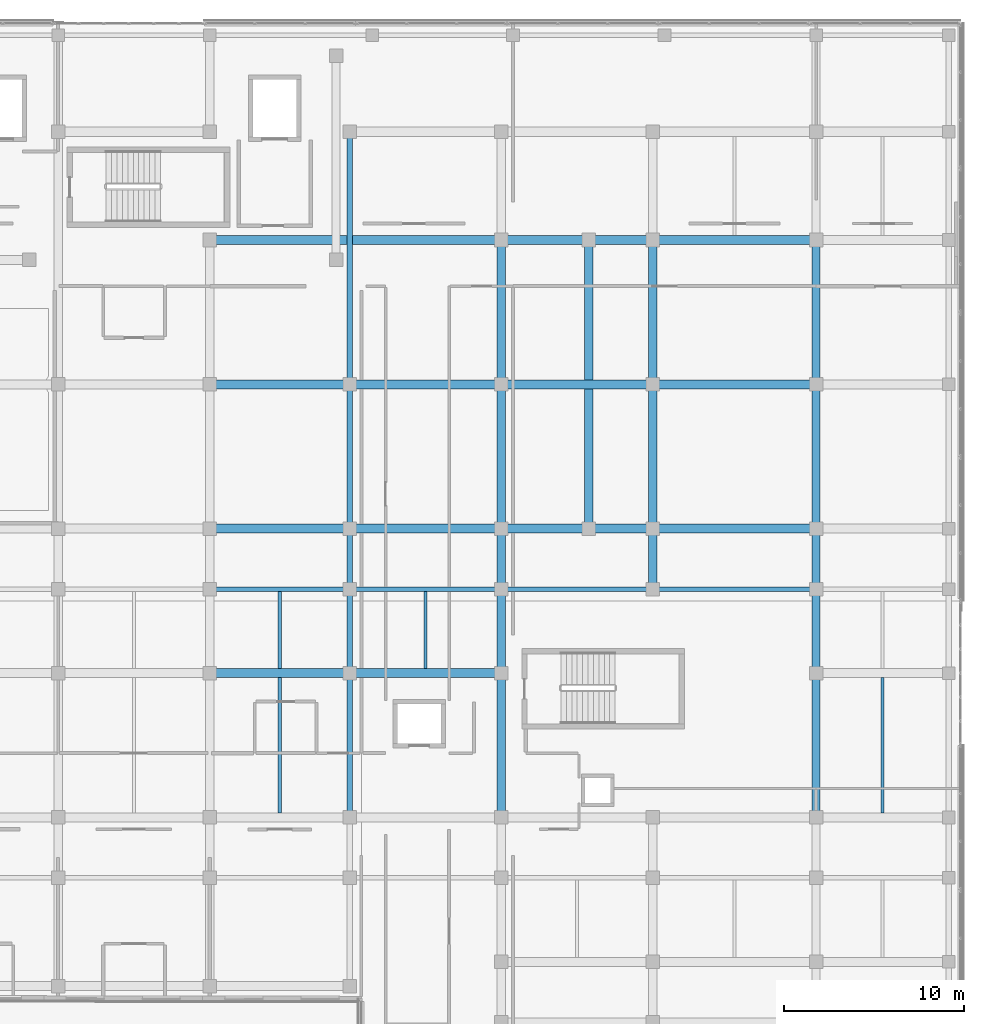
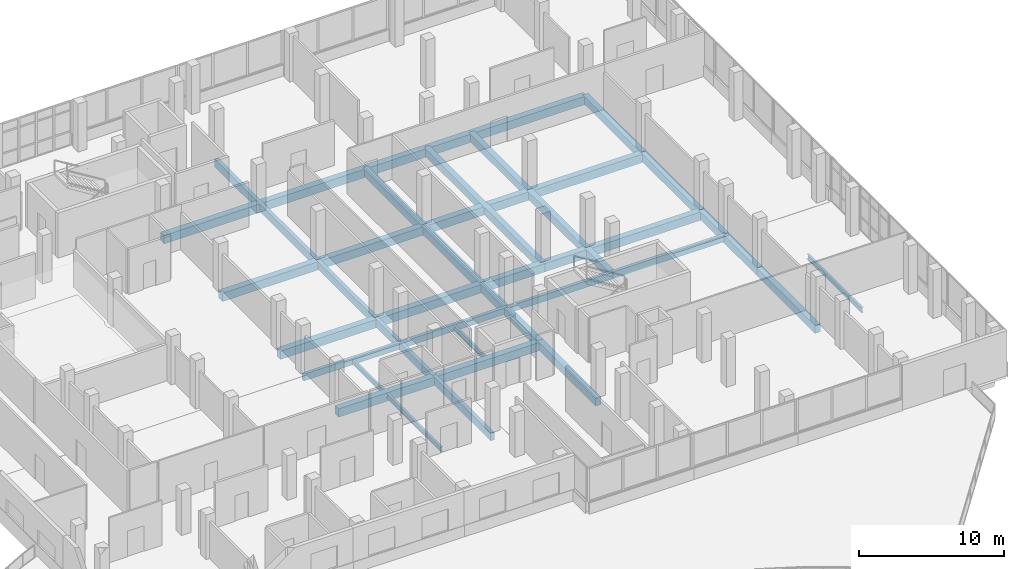
# One storey, part 62 of 101: 42 beams.
"""IFC4 building model written with IfcOpenShell, lengths in metres."""

from ifc_helpers import new_model, si_unit, direction, frame, origin, origin_2d, place, context, subcontext, project, spatial, rectangle, i_section, extrude, material, material_profile, profile_set, type_object, element, save


model = new_model("IFC4")

# Units and contexts
model_context = context("Model", 3, precision=1e-05, world=origin(), true_north=direction((0.0, 1.0)))
body_context = subcontext(model_context, "Body", "Model", "MODEL_VIEW")
ifc_project = project(units=[si_unit("LENGTHUNIT", "METRE"), si_unit("AREAUNIT", "SQUARE_METRE"), si_unit("VOLUMEUNIT", "CUBIC_METRE"), si_unit("PLANEANGLEUNIT", "RADIAN"), si_unit("MASSUNIT", "GRAM", prefix="KILO")], contexts=[model_context])

# Site, building, storey
site_placement = place(None, origin())
site = spatial("IfcSite", under=ifc_project, at=site_placement, CompositionType="ELEMENT")
building_placement = place(site_placement, origin())
building = spatial("IfcBuilding", under=site, at=building_placement, Name="Selatvlak General Hospital", CompositionType="ELEMENT")
storey_placement = place(building_placement, frame((0.0, 0.0, 19.199951171875)))
storey = spatial("IfcBuildingStorey", under=building, at=storey_placement, Name="L04", CompositionType="ELEMENT", Elevation=19.199951171875)

# Beams
ifc_material_1 = material(Name="Concrete C40/50", Category="concrete")
ifc_material_profile_1 = material_profile(ifc_material_1, rectangle(XDim=0.5, YDim=0.699951171875, at=origin_2d()), Name="RC-BM 500x700")
ifc_profile_set_1 = profile_set([ifc_material_profile_1], Name="Concrete C40/50")
beam_type_1 = type_object("IfcBeamType", Name="BM-G03", PredefinedType="BEAM", material=ifc_profile_set_1)
beam_1_placement = place(storey_placement, frame((140.39990234375, 84.0, -0.655029296875), z_axis=(1.0, 0.0, 0.0), x_axis=(0.0, 1.0, 0.0)))
element("IfcBeam", 1, at=beam_1_placement, inside=storey, type_object=beam_type_1, Name="Beam BMR-L04-1534", PredefinedType="BEAM", context=body_context, shape_type="SweptSolid", body=[
    extrude(rectangle(XDim=0.5, YDim=0.699951171875, at=origin_2d()), origin(), (0.0, 0.0, 1.0), 7.75),
])
beam_2_placement = place(storey_placement, frame((148.14990234375, 84.0, -0.655029296875), z_axis=(1.0, 0.0, 0.0), x_axis=(0.0, 1.0, 0.0)))
element("IfcBeam", 2, at=beam_2_placement, inside=storey, type_object=beam_type_1, Name="Beam BMR-L04-1535", PredefinedType="BEAM", context=body_context, shape_type="SweptSolid", body=[
    extrude(rectangle(XDim=0.5, YDim=0.699951171875, at=origin_2d()), origin(), (0.0, 0.0, 1.0), 8.400146484375),
])
beam_3_placement = place(storey_placement, frame((140.39990234375, 92.0, -0.655029296875), z_axis=(1.0, 0.0, 0.0), x_axis=(0.0, 1.0, 0.0)))
element("IfcBeam", 3, at=beam_3_placement, inside=storey, type_object=beam_type_1, Name="Beam BMR-L04-1569", PredefinedType="BEAM", context=body_context, shape_type="SweptSolid", body=[
    extrude(rectangle(XDim=0.5, YDim=0.699951171875, at=origin_2d()), origin(), (0.0, 0.0, 1.0), 7.75),
])
beam_4_placement = place(storey_placement, frame((148.14990234375, 92.0, -0.655029296875), z_axis=(1.0, 0.0, 0.0), x_axis=(0.0, 1.0, 0.0)))
element("IfcBeam", 4, at=beam_4_placement, inside=storey, type_object=beam_type_1, Name="Beam BMR-L04-1570", PredefinedType="BEAM", context=body_context, shape_type="SweptSolid", body=[
    extrude(rectangle(XDim=0.5, YDim=0.699951171875, at=origin_2d()), origin(), (0.0, 0.0, 1.0), 8.400146484375),
])
beam_5_placement = place(storey_placement, frame((156.550048828125, 92.0, -0.655029296875), z_axis=(1.0, 0.0, 0.0), x_axis=(0.0, 1.0, 0.0)))
element("IfcBeam", 5, at=beam_5_placement, inside=storey, type_object=beam_type_1, Name="Beam BMR-L04-1571", PredefinedType="BEAM", context=body_context, shape_type="SweptSolid", body=[
    extrude(rectangle(XDim=0.5, YDim=0.699951171875, at=origin_2d()), origin(), (0.0, 0.0, 1.0), 4.849853515625),
])
beam_6_placement = place(storey_placement, frame((161.39990234375, 92.0, -0.655029296875), z_axis=(1.0, 0.0, 0.0), x_axis=(0.0, 1.0, 0.0)))
element("IfcBeam", 6, at=beam_6_placement, inside=storey, type_object=beam_type_1, Name="Beam BMR-L04-1572", PredefinedType="BEAM", context=body_context, shape_type="SweptSolid", body=[
    extrude(rectangle(XDim=0.5, YDim=0.699951171875, at=origin_2d()), origin(), (0.0, 0.0, 1.0), 3.550048828125),
])
beam_7_placement = place(storey_placement, frame((164.949951171875, 92.0, -0.655029296875), z_axis=(1.0, 0.0, 0.0), x_axis=(0.0, 1.0, 0.0)))
element("IfcBeam", 7, at=beam_7_placement, inside=storey, type_object=beam_type_1, Name="Beam BMR-L04-1573", PredefinedType="BEAM", context=body_context, shape_type="SweptSolid", body=[
    extrude(rectangle(XDim=0.5, YDim=0.699951171875, at=origin_2d()), origin(), (0.0, 0.0, 1.0), 9.050048828125),
])
beam_8_placement = place(storey_placement, frame((140.39990234375, 100.0, -0.655029296875), z_axis=(1.0, 0.0, 0.0), x_axis=(0.0, 1.0, 0.0)))
element("IfcBeam", 8, at=beam_8_placement, inside=storey, type_object=beam_type_1, Name="Beam BMR-L04-1590", PredefinedType="BEAM", context=body_context, shape_type="SweptSolid", body=[
    extrude(rectangle(XDim=0.5, YDim=0.699951171875, at=origin_2d()), origin(), (0.0, 0.0, 1.0), 7.75),
])
beam_9_placement = place(storey_placement, frame((148.14990234375, 100.0, -0.655029296875), z_axis=(1.0, 0.0, 0.0), x_axis=(0.0, 1.0, 0.0)))
element("IfcBeam", 9, at=beam_9_placement, inside=storey, type_object=beam_type_1, Name="Beam BMR-L04-1591", PredefinedType="BEAM", context=body_context, shape_type="SweptSolid", body=[
    extrude(rectangle(XDim=0.5, YDim=0.699951171875, at=origin_2d()), origin(), (0.0, 0.0, 1.0), 8.400146484375),
])
beam_10_placement = place(storey_placement, frame((156.550048828125, 100.0, -0.655029296875), z_axis=(1.0, 0.0, 0.0), x_axis=(0.0, 1.0, 0.0)))
element("IfcBeam", 10, at=beam_10_placement, inside=storey, type_object=beam_type_1, Name="Beam BMR-L04-1592", PredefinedType="BEAM", context=body_context, shape_type="SweptSolid", body=[
    extrude(rectangle(XDim=0.5, YDim=0.699951171875, at=origin_2d()), origin(), (0.0, 0.0, 1.0), 8.39990234375),
])
beam_11_placement = place(storey_placement, frame((164.949951171875, 100.0, -0.655029296875), z_axis=(1.0, 0.0, 0.0), x_axis=(0.0, 1.0, 0.0)))
element("IfcBeam", 11, at=beam_11_placement, inside=storey, type_object=beam_type_1, Name="Beam BMR-L04-1593", PredefinedType="BEAM", context=body_context, shape_type="SweptSolid", body=[
    extrude(rectangle(XDim=0.5, YDim=0.699951171875, at=origin_2d()), origin(), (0.0, 0.0, 1.0), 9.050048828125),
])
beam_12_placement = place(storey_placement, frame((140.39990234375, 108.0, -0.655029296875), z_axis=(1.0, 0.0, 0.0), x_axis=(0.0, 1.0, 0.0)))
element("IfcBeam", 12, at=beam_12_placement, inside=storey, type_object=beam_type_1, Name="Beam BMR-L04-1609", PredefinedType="BEAM", context=body_context, shape_type="SweptSolid", body=[
    extrude(rectangle(XDim=0.5, YDim=0.699951171875, at=origin_2d()), origin(), (0.0, 0.0, 1.0), 16.150146484375),
])
beam_13_placement = place(storey_placement, frame((156.550048828125, 108.0, -0.655029296875), z_axis=(1.0, 0.0, 0.0), x_axis=(0.0, 1.0, 0.0)))
element("IfcBeam", 13, at=beam_13_placement, inside=storey, type_object=beam_type_1, Name="Beam BMR-L04-1610", PredefinedType="BEAM", context=body_context, shape_type="SweptSolid", body=[
    extrude(rectangle(XDim=0.5, YDim=0.699951171875, at=origin_2d()), origin(), (0.0, 0.0, 1.0), 4.849853515625),
])
beam_14_placement = place(storey_placement, frame((161.39990234375, 108.0, -0.655029296875), z_axis=(1.0, 0.0, 0.0), x_axis=(0.0, 1.0, 0.0)))
element("IfcBeam", 14, at=beam_14_placement, inside=storey, type_object=beam_type_1, Name="Beam BMR-L04-1611", PredefinedType="BEAM", context=body_context, shape_type="SweptSolid", body=[
    extrude(rectangle(XDim=0.5, YDim=0.699951171875, at=origin_2d()), origin(), (0.0, 0.0, 1.0), 3.550048828125),
])
beam_15_placement = place(storey_placement, frame((164.949951171875, 108.0, -0.655029296875), z_axis=(1.0, 0.0, 0.0), x_axis=(0.0, 1.0, 0.0)))
element("IfcBeam", 15, at=beam_15_placement, inside=storey, type_object=beam_type_1, Name="Beam BMR-L04-1612", PredefinedType="BEAM", context=body_context, shape_type="SweptSolid", body=[
    extrude(rectangle(XDim=0.5, YDim=0.699951171875, at=origin_2d()), origin(), (0.0, 0.0, 1.0), 9.050048828125),
])
ifc_material_profile_2 = material_profile(ifc_material_1, rectangle(XDim=0.449951171875, YDim=0.64990234375, at=origin_2d()), Name="RC-BM 450x650")
ifc_profile_set_2 = profile_set([ifc_material_profile_2], Name="Concrete C40/50")
beam_type_2 = type_object("IfcBeamType", Name="BM-G04", PredefinedType="BEAM", material=ifc_profile_set_2)
beam_16_placement = place(storey_placement, frame((156.550048828125, 76.0, -0.6298828125), z_axis=(0.0, 1.0, 0.0), x_axis=(-1.0, 0.0, 0.0)))
element("IfcBeam", 16, at=beam_16_placement, inside=storey, type_object=beam_type_2, Name="Beam BMR-L04-1742", PredefinedType="BEAM", context=body_context, shape_type="SweptSolid", body=[
    extrude(rectangle(XDim=0.449951171875, YDim=0.64990234375, at=origin_2d()), origin(), (0.0, 0.0, 1.0), 8.0),
])
beam_17_placement = place(storey_placement, frame((156.550048828125, 84.0, -0.6298828125), z_axis=(0.0, 1.0, 0.0), x_axis=(-1.0, 0.0, 0.0)))
element("IfcBeam", 17, at=beam_17_placement, inside=storey, type_object=beam_type_2, Name="Beam BMR-L04-1743", PredefinedType="BEAM", context=body_context, shape_type="SweptSolid", body=[
    extrude(rectangle(XDim=0.449951171875, YDim=0.64990234375, at=origin_2d()), origin(), (0.0, 0.0, 1.0), 4.64990234375),
])
beam_18_placement = place(storey_placement, frame((156.550048828125, 88.64990234375, -0.6298828125), z_axis=(0.0, 1.0, 0.0), x_axis=(-1.0, 0.0, 0.0)))
element("IfcBeam", 18, at=beam_18_placement, inside=storey, type_object=beam_type_2, Name="Beam BMR-L04-1744", PredefinedType="BEAM", context=body_context, shape_type="SweptSolid", body=[
    extrude(rectangle(XDim=0.449951171875, YDim=0.64990234375, at=origin_2d()), origin(), (0.0, 0.0, 1.0), 3.35009765625),
])
for number, where, z_axis, x_axis, name in (
    (19, (156.550048828125, 92.0, -0.6298828125), (0.0, 1.0, 0.0), (-1.0, 0.0, 0.0), "Beam BMR-L04-1745"),
    (20, (156.550048828125, 100.0, -0.6298828125), (0.0, 1.0, 0.0), (-1.0, 0.0, 0.0), "Beam BMR-L04-1746"),
):
    element("IfcBeam", number, at=place(storey_placement, frame(where, z_axis=z_axis, x_axis=x_axis)), inside=storey, type_object=beam_type_2, Name=name, PredefinedType="BEAM", context=body_context, shape_type="SweptSolid", body=[
        extrude(rectangle(XDim=0.449951171875, YDim=0.64990234375, at=origin_2d()), origin(), (0.0, 0.0, 1.0), 8.0),
    ])
beam_19_placement = place(storey_placement, frame((161.39990234375, 92.0, -0.6298828125), z_axis=(0.0, 1.0, 0.0), x_axis=(-1.0, 0.0, 0.0)))
element("IfcBeam", 21, at=beam_19_placement, inside=storey, type_object=beam_type_2, Name="Beam BMR-L04-1748", PredefinedType="BEAM", context=body_context, shape_type="SweptSolid", body=[
    extrude(rectangle(XDim=0.449951171875, YDim=0.64990234375, at=origin_2d()), origin(), (0.0, 0.0, 1.0), 16.0),
])
beam_20_placement = place(storey_placement, frame((164.949951171875, 88.64990234375, -0.6298828125), z_axis=(0.0, 1.0, 0.0), x_axis=(-1.0, 0.0, 0.0)))
element("IfcBeam", 22, at=beam_20_placement, inside=storey, type_object=beam_type_2, Name="Beam BMR-L04-1752", PredefinedType="BEAM", context=body_context, shape_type="SweptSolid", body=[
    extrude(rectangle(XDim=0.449951171875, YDim=0.64990234375, at=origin_2d()), origin(), (0.0, 0.0, 1.0), 3.35009765625),
])
for number, where, z_axis, x_axis, name in (
    (23, (164.949951171875, 92.0, -0.6298828125), (0.0, 1.0, 0.0), (-1.0, 0.0, 0.0), "Beam BMR-L04-1753"),
    (24, (164.949951171875, 100.0, -0.6298828125), (0.0, 1.0, 0.0), (-1.0, 0.0, 0.0), "Beam BMR-L04-1754"),
    (25, (174.0, 76.0, -0.6298828125), (0.0, 1.0, 0.0), (-1.0, 0.0, 0.0), "Beam BMR-L04-1759"),
):
    element("IfcBeam", number, at=place(storey_placement, frame(where, z_axis=z_axis, x_axis=x_axis)), inside=storey, type_object=beam_type_2, Name=name, PredefinedType="BEAM", context=body_context, shape_type="SweptSolid", body=[
        extrude(rectangle(XDim=0.449951171875, YDim=0.64990234375, at=origin_2d()), origin(), (0.0, 0.0, 1.0), 8.0),
    ])
beam_21_placement = place(storey_placement, frame((174.0, 84.0, -0.6298828125), z_axis=(0.0, 1.0, 0.0), x_axis=(-1.0, 0.0, 0.0)))
element("IfcBeam", 26, at=beam_21_placement, inside=storey, type_object=beam_type_2, Name="Beam BMR-L04-1760", PredefinedType="BEAM", context=body_context, shape_type="SweptSolid", body=[
    extrude(rectangle(XDim=0.449951171875, YDim=0.64990234375, at=origin_2d()), origin(), (0.0, 0.0, 1.0), 4.64990234375),
])
beam_22_placement = place(storey_placement, frame((174.0, 88.64990234375, -0.6298828125), z_axis=(0.0, 1.0, 0.0), x_axis=(-1.0, 0.0, 0.0)))
element("IfcBeam", 27, at=beam_22_placement, inside=storey, type_object=beam_type_2, Name="Beam BMR-L04-1761", PredefinedType="BEAM", context=body_context, shape_type="SweptSolid", body=[
    extrude(rectangle(XDim=0.449951171875, YDim=0.64990234375, at=origin_2d()), origin(), (0.0, 0.0, 1.0), 3.35009765625),
])
for number, where, z_axis, x_axis, name in (
    (28, (174.0, 92.0, -0.6298828125), (0.0, 1.0, 0.0), (-1.0, 0.0, 0.0), "Beam BMR-L04-1762"),
    (29, (174.0, 100.0, -0.6298828125), (0.0, 1.0, 0.0), (-1.0, 0.0, 0.0), "Beam BMR-L04-1763"),
):
    element("IfcBeam", number, at=place(storey_placement, frame(where, z_axis=z_axis, x_axis=x_axis)), inside=storey, type_object=beam_type_2, Name=name, PredefinedType="BEAM", context=body_context, shape_type="SweptSolid", body=[
        extrude(rectangle(XDim=0.449951171875, YDim=0.64990234375, at=origin_2d()), origin(), (0.0, 0.0, 1.0), 8.0),
    ])
ifc_material_2 = material(Name="Steel S355", Category="steel")
ifc_material_profile_3 = material_profile(ifc_material_2, i_section(OverallWidth=0.177978515625, OverallDepth=0.406494140625, WebThickness=0.0078125, FlangeThickness=0.0126953125, at=origin_2d()), Name="UB 406x178x60")
ifc_profile_set_3 = profile_set([ifc_material_profile_3], Name="Steel S355")
beam_type_3 = type_object("IfcBeamType", Name="BM-J04", PredefinedType="JOIST", material=ifc_profile_set_3)
for number, where, z_axis, x_axis, name in (
    (30, (144.27490234375, 76.25, -0.508056640625), (0.0, 1.0, 0.0), (-1.0, 0.0, 0.0), "Beam BMR-L04-1781"),
    (31, (177.675048828125, 76.25, -0.508056640625), (0.0, 1.0, 0.0), (-1.0, 0.0, 0.0), "Beam BMR-L04-1782"),
):
    element("IfcBeam", number, at=place(storey_placement, frame(where, z_axis=z_axis, x_axis=x_axis)), inside=storey, type_object=beam_type_3, Name=name, PredefinedType="JOIST", context=body_context, shape_type="SweptSolid", body=[
        extrude(i_section(OverallWidth=0.177978515625, OverallDepth=0.406494140625, WebThickness=0.0078125, FlangeThickness=0.0126953125, at=origin_2d()), origin(), (0.0, 0.0, 1.0), 7.5),
    ])
for number, where, z_axis, x_axis, name in (
    (32, (144.27490234375, 84.25, -0.508056640625), (0.0, 1.0, 0.0), (-1.0, 0.0, 0.0), "Beam BMR-L04-1785"),
    (33, (152.35009765625, 84.25, -0.508056640625), (0.0, 1.0, 0.0), (-1.0, 0.0, 0.0), "Beam BMR-L04-1786"),
):
    element("IfcBeam", number, at=place(storey_placement, frame(where, z_axis=z_axis, x_axis=x_axis)), inside=storey, type_object=beam_type_3, Name=name, PredefinedType="JOIST", context=body_context, shape_type="SweptSolid", body=[
        extrude(i_section(OverallWidth=0.177978515625, OverallDepth=0.406494140625, WebThickness=0.0078125, FlangeThickness=0.0126953125, at=origin_2d()), origin(), (0.0, 0.0, 1.0), 4.27490234375),
    ])
ifc_material_profile_4 = material_profile(ifc_material_1, rectangle(XDim=0.300048828125, YDim=0.64990234375, at=origin_2d()), Name="RC-SP 300x650")
ifc_profile_set_4 = profile_set([ifc_material_profile_4], Name="Concrete C40/50")
beam_type_4 = type_object("IfcBeamType", Name="BM-SP1", PredefinedType="SPANDREL", material=ifc_profile_set_4)
beam_23_placement = place(storey_placement, frame((148.14990234375, 76.0, -0.6298828125), z_axis=(0.0, 1.0, 0.0), x_axis=(-1.0, 0.0, 0.0)))
element("IfcBeam", 34, at=beam_23_placement, inside=storey, type_object=beam_type_4, Name="Beam BMR-L04-1734", PredefinedType="SPANDREL", context=body_context, shape_type="SweptSolid", body=[
    extrude(rectangle(XDim=0.300048828125, YDim=0.64990234375, at=origin_2d()), origin(), (0.0, 0.0, 1.0), 8.0),
])
beam_24_placement = place(storey_placement, frame((148.14990234375, 84.0, -0.6298828125), z_axis=(0.0, 1.0, 0.0), x_axis=(-1.0, 0.0, 0.0)))
element("IfcBeam", 35, at=beam_24_placement, inside=storey, type_object=beam_type_4, Name="Beam BMR-L04-1735", PredefinedType="SPANDREL", context=body_context, shape_type="SweptSolid", body=[
    extrude(rectangle(XDim=0.300048828125, YDim=0.64990234375, at=origin_2d()), origin(), (0.0, 0.0, 1.0), 4.64990234375),
])
beam_25_placement = place(storey_placement, frame((148.14990234375, 88.64990234375, -0.6298828125), z_axis=(0.0, 1.0, 0.0), x_axis=(-1.0, 0.0, 0.0)))
element("IfcBeam", 36, at=beam_25_placement, inside=storey, type_object=beam_type_4, Name="Beam BMR-L04-1736", PredefinedType="SPANDREL", context=body_context, shape_type="SweptSolid", body=[
    extrude(rectangle(XDim=0.300048828125, YDim=0.64990234375, at=origin_2d()), origin(), (0.0, 0.0, 1.0), 3.35009765625),
])
beam_26_placement = place(storey_placement, frame((148.14990234375, 92.0, -0.6298828125), z_axis=(0.0, 1.0, 0.0), x_axis=(-1.0, 0.0, 0.0)))
element("IfcBeam", 37, at=beam_26_placement, inside=storey, type_object=beam_type_4, Name="Beam BMR-L04-1737", PredefinedType="SPANDREL", context=body_context, shape_type="SweptSolid", body=[
    extrude(rectangle(XDim=0.300048828125, YDim=0.64990234375, at=origin_2d()), origin(), (0.0, 0.0, 1.0), 8.0),
])
beam_27_placement = place(storey_placement, frame((148.14990234375, 100.0, -0.6298828125), z_axis=(0.0, 1.0, 0.0), x_axis=(-1.0, 0.0, 0.0)))
element("IfcBeam", 38, at=beam_27_placement, inside=storey, type_object=beam_type_4, Name="Beam BMR-L04-1738", PredefinedType="SPANDREL", context=body_context, shape_type="SweptSolid", body=[
    extrude(rectangle(XDim=0.300048828125, YDim=0.64990234375, at=origin_2d()), origin(), (0.0, 0.0, 1.0), 14.0),
])
ifc_material_profile_5 = material_profile(ifc_material_1, rectangle(XDim=0.25, YDim=0.550048828125, at=origin_2d()), Name="RC-SP 250x550")
ifc_profile_set_5 = profile_set([ifc_material_profile_5], Name="Concrete C40/50")
beam_type_5 = type_object("IfcBeamType", Name="BM-SP2", PredefinedType="SPANDREL", material=ifc_profile_set_5)
beam_28_placement = place(storey_placement, frame((140.39990234375, 88.64990234375, -0.579833984375), z_axis=(1.0, 0.0, 0.0), x_axis=(0.0, 1.0, 0.0)))
element("IfcBeam", 39, at=beam_28_placement, inside=storey, type_object=beam_type_5, Name="Beam BMR-L04-1549", PredefinedType="SPANDREL", context=body_context, shape_type="SweptSolid", body=[
    extrude(rectangle(XDim=0.25, YDim=0.550048828125, at=origin_2d()), origin(), (0.0, 0.0, 1.0), 7.75),
])
beam_29_placement = place(storey_placement, frame((148.14990234375, 88.64990234375, -0.579833984375), z_axis=(1.0, 0.0, 0.0), x_axis=(0.0, 1.0, 0.0)))
element("IfcBeam", 40, at=beam_29_placement, inside=storey, type_object=beam_type_5, Name="Beam BMR-L04-1550", PredefinedType="SPANDREL", context=body_context, shape_type="SweptSolid", body=[
    extrude(rectangle(XDim=0.25, YDim=0.550048828125, at=origin_2d()), origin(), (0.0, 0.0, 1.0), 8.400146484375),
])
beam_30_placement = place(storey_placement, frame((156.550048828125, 88.64990234375, -0.579833984375), z_axis=(1.0, 0.0, 0.0), x_axis=(0.0, 1.0, 0.0)))
element("IfcBeam", 41, at=beam_30_placement, inside=storey, type_object=beam_type_5, Name="Beam BMR-L04-1551", PredefinedType="SPANDREL", context=body_context, shape_type="SweptSolid", body=[
    extrude(rectangle(XDim=0.25, YDim=0.550048828125, at=origin_2d()), origin(), (0.0, 0.0, 1.0), 8.39990234375),
])
beam_31_placement = place(storey_placement, frame((164.949951171875, 88.64990234375, -0.579833984375), z_axis=(1.0, 0.0, 0.0), x_axis=(0.0, 1.0, 0.0)))
element("IfcBeam", 42, at=beam_31_placement, inside=storey, type_object=beam_type_5, Name="Beam BMR-L04-1552", PredefinedType="SPANDREL", context=body_context, shape_type="SweptSolid", body=[
    extrude(rectangle(XDim=0.25, YDim=0.550048828125, at=origin_2d()), origin(), (0.0, 0.0, 1.0), 9.050048828125),
])

save(model, "model.ifc")
